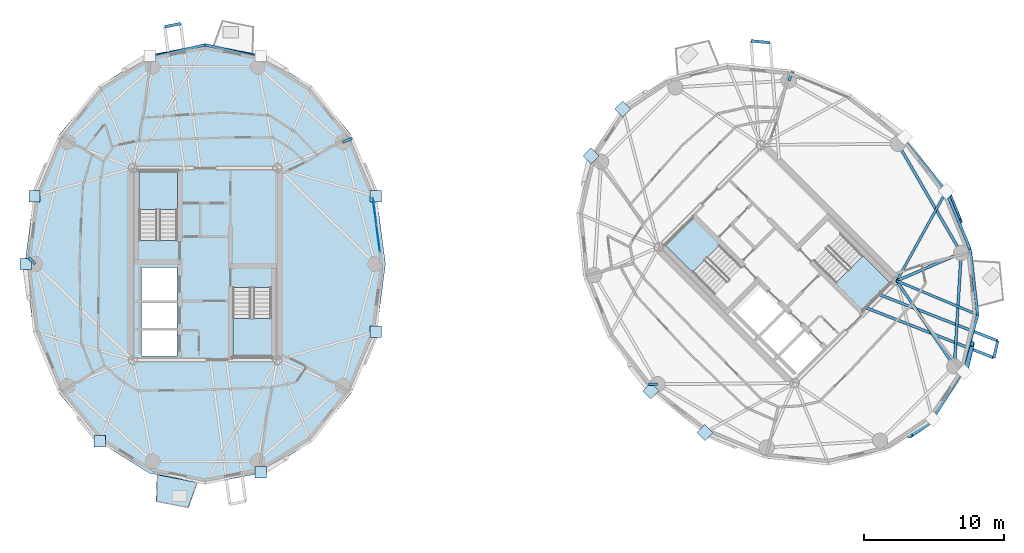
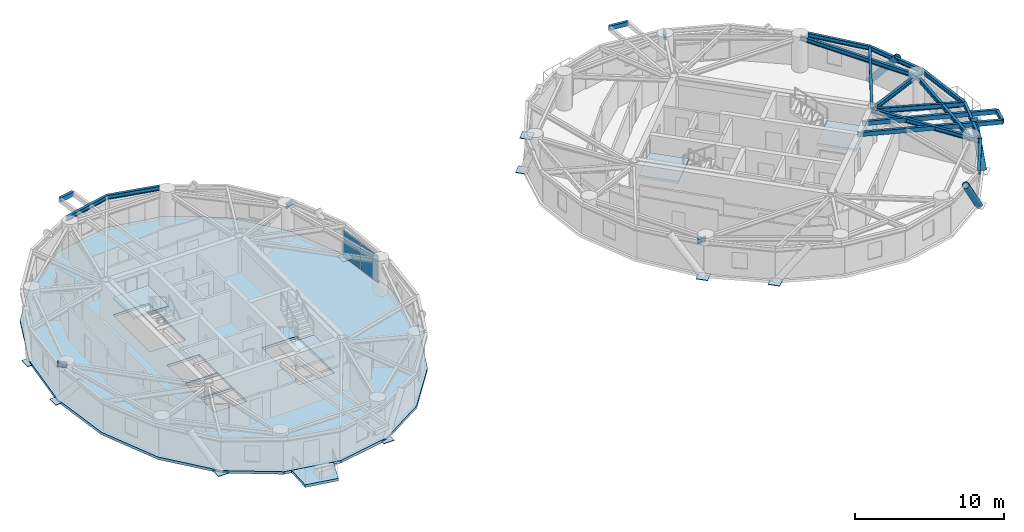
# One storey, part 6 of 16: 22 beams, 14 plates, 6 slabs, 3 members, 5 elements without a shape of their own.
"""IFC4 building model written with IfcOpenShell, lengths in metres."""

from ifc_helpers import new_model, si_unit, direction, frame, origin, origin_2d, place, context, subcontext, project, spatial, polyline, rectangle, hollow_rectangle, hollow_circle, i_section, outline, extrude, source, transform, mapped, material, layer, layer_set, material_profile, profile_set, type_object, element, aggregate, save


model = new_model("IFC4")

# Units and contexts
model_context = context("Model", 3, precision=1e-05, world=origin(), true_north=direction((0.0, 1.0)))
body_context = subcontext(model_context, "Body", "Model", "MODEL_VIEW")
ifc_project = project(units=[si_unit("LENGTHUNIT", "METRE"), si_unit("AREAUNIT", "SQUARE_METRE"), si_unit("VOLUMEUNIT", "CUBIC_METRE"), si_unit("PLANEANGLEUNIT", "RADIAN"), si_unit("MASSUNIT", "GRAM", prefix="KILO")], contexts=[model_context])

# Site, building, storey
site_placement = place(None, origin())
site = spatial("IfcSite", under=ifc_project, at=site_placement, CompositionType="ELEMENT")
building_placement = place(site_placement, origin())
building = spatial("IfcBuilding", under=site, at=building_placement, Name="Cununo Teusaquillo Station Towers", CompositionType="ELEMENT")
storey_placement = place(building_placement, frame((0.0, 0.0, 214.1201171875)))
storey = spatial("IfcBuildingStorey", under=building, at=storey_placement, Name="L68", CompositionType="ELEMENT", Elevation=214.1201171875)

# Beams
ifc_material_1 = material(Name="Steel EN 10025-2 S355J2", Category="steel")
ifc_material_profile_1 = material_profile(ifc_material_1, hollow_rectangle(XDim=0.199951171875, YDim=0.35009765625, WallThickness=0.013916015625, at=origin_2d()), Name="RHS 350x200x14")
ifc_profile_set_1 = profile_set([ifc_material_profile_1], Name="Steel EN 10025-2 S355J2")
beam_type_1 = type_object("IfcBeamType", Name="BM-BAL-CANT", PredefinedType="BEAM", material=ifc_profile_set_1)
beam_1_placement = place(storey_placement, frame((63.785888671875, 21.38134765625, 2.52490234375), z_axis=(0.931262493406, -0.364348965109, 0.0), x_axis=(0.364348965109, 0.931262493406, 0.0)))
element("IfcBeam", 1, at=beam_1_placement, inside=storey, type_object=beam_type_1, Name="L68 Tower B Balcony Cantilever Bracket 2A", PredefinedType="BEAM", context=body_context, shape_type="SweptSolid", body=[
    extrude(hollow_rectangle(XDim=0.199951171875, YDim=0.35009765625, WallThickness=0.013916015625, at=origin_2d()), origin(), (0.0, 0.0, 1.0), 9.8662109375),
])
beam_2_placement = place(storey_placement, frame((64.73388671875, 22.329345703125, 2.52490234375), z_axis=(0.931259704605, -0.364356093101, 0.0), x_axis=(0.364356093101, 0.931259704605, 0.0)))
element("IfcBeam", 2, at=beam_2_placement, inside=storey, type_object=beam_type_1, Name="L68 Tower B Balcony Cantilever Bracket 2B", PredefinedType="BEAM", context=body_context, shape_type="SweptSolid", body=[
    extrude(hollow_rectangle(XDim=0.199951171875, YDim=0.35009765625, WallThickness=0.013916015625, at=origin_2d()), origin(), (0.0, 0.0, 1.0), 9.151123046875),
])
ifc_material_2 = material(Name="Steel ASTM A572 Grade 50", Category="steel")
ifc_material_profile_2 = material_profile(ifc_material_2, i_section(OverallWidth=0.180908203125, OverallDepth=0.4169921875, WebThickness=0.010986328125, FlangeThickness=0.018310546875, FilletRadius=0.012939453125, at=origin_2d()), Name="W16X57")
ifc_profile_set_2 = profile_set([ifc_material_profile_2], Name="Steel ASTM A572 Grade 50")
beam_type_2 = type_object("IfcBeamType", Name="BM-JOIST-1", PredefinedType="JOIST", material=ifc_profile_set_2)
beam_3_placement = place(storey_placement, frame((66.024169921875, 23.29443359375, 2.491455078125), z_axis=(0.922169338565, -0.386786389381, 0.0), x_axis=(0.386786389381, 0.922169338565, 0.0)))
element("IfcBeam", 3, at=beam_3_placement, inside=storey, type_object=beam_type_2, Name="L68 Tower B Radial Spandrel Joist V17", PredefinedType="JOIST", context=body_context, shape_type="SweptSolid", body=[
    extrude(i_section(OverallWidth=0.180908203125, OverallDepth=0.4169921875, WebThickness=0.010986328125, FlangeThickness=0.018310546875, FilletRadius=0.012939453125, at=origin_2d()), origin(), (0.0, 0.0, 1.0), 6.281005859375),
])
beam_4_placement = place(storey_placement, frame((66.024169921875, 23.29443359375, 2.491455078125), z_axis=(0.483552544108, 0.8753153358, 0.0), x_axis=(-0.8753153358, 0.483552544108, 0.0)))
element("IfcBeam", 4, at=beam_4_placement, inside=storey, type_object=beam_type_2, Name="L68 Tower B Radial Spandrel Joist V19", PredefinedType="JOIST", context=body_context, shape_type="SweptSolid", body=[
    extrude(i_section(OverallWidth=0.180908203125, OverallDepth=0.4169921875, WebThickness=0.010986328125, FlangeThickness=0.018310546875, FilletRadius=0.012939453125, at=origin_2d()), origin(), (0.0, 0.0, 1.0), 7.3330078125),
])
ifc_material_3 = material(Name="Steel ASTM A572 Grade 50", Category="steel")
ifc_material_profile_3 = material_profile(ifc_material_3, i_section(OverallWidth=0.2041015625, OverallDepth=0.35009765625, WebThickness=0.008544921875, FlangeThickness=0.01513671875, FilletRadius=0.011962890625, at=origin_2d()), Name="W14X48")
ifc_profile_set_3 = profile_set([ifc_material_profile_3], Name="Steel ASTM A572 Grade 50")
beam_type_3 = type_object("IfcBeamType", Name="BM-RAD-G3", PredefinedType="BEAM", material=ifc_profile_set_3)
beam_5_placement = place(storey_placement, frame((26.347412109375, 33.228515625, 2.52490234375), z_axis=(0.929761307449, 0.368162886738, 0.0), x_axis=(-0.368162886738, 0.929761307449, 0.0)))
element("IfcBeam", 5, at=beam_5_placement, inside=storey, type_object=beam_type_3, Name="L68 Tower A Perimeter Overhang Girder 02B", PredefinedType="BEAM", context=body_context, shape_type="SweptSolid", body=[
    extrude(i_section(OverallWidth=0.2041015625, OverallDepth=0.35009765625, WebThickness=0.008544921875, FlangeThickness=0.01513671875, FilletRadius=0.011962890625, at=origin_2d()), origin(), (0.0, 0.0, 1.0), 0.691650390625),
])
beam_6_placement = place(storey_placement, frame((4.327880859375, 24.5, 2.52490234375), z_axis=(-0.712904743691, 0.701260883283, 0.0), x_axis=(-0.701260883283, -0.712904743691, 0.0)))
element("IfcBeam", 6, at=beam_6_placement, inside=storey, type_object=beam_type_3, Name="L68 Tower A Perimeter Overhang Girder 06B", PredefinedType="BEAM", context=body_context, shape_type="SweptSolid", body=[
    extrude(i_section(OverallWidth=0.2041015625, OverallDepth=0.35009765625, WebThickness=0.008544921875, FlangeThickness=0.01513671875, FilletRadius=0.011962890625, at=origin_2d()), origin(), (0.0, 0.0, 1.0), 0.64990234375),
])
beam_7_placement = place(storey_placement, frame((58.291015625, 37.63525390625, 2.52490234375), z_axis=(0.397409333503, 0.917641445034, 0.0), x_axis=(-0.917641445034, 0.397409333503, 0.0)))
element("IfcBeam", 7, at=beam_7_placement, inside=storey, type_object=beam_type_3, Name="L68 Tower B Perimeter Overhang Girder 02B", PredefinedType="BEAM", context=body_context, shape_type="SweptSolid", body=[
    extrude(i_section(OverallWidth=0.2041015625, OverallDepth=0.35009765625, WebThickness=0.008544921875, FlangeThickness=0.01513671875, FilletRadius=0.011962890625, at=origin_2d()), origin(), (0.0, 0.0, 1.0), 0.691650390625),
])
beam_8_placement = place(storey_placement, frame((48.89306640625, 15.89306640625, 2.52490234375), z_axis=(-0.999962704276, -0.008636553586, 0.0), x_axis=(0.008636553586, -0.999962704276, 0.0)))
element("IfcBeam", 8, at=beam_8_placement, inside=storey, type_object=beam_type_3, Name="L68 Tower B Perimeter Overhang Girder 06B", PredefinedType="BEAM", context=body_context, shape_type="SweptSolid", body=[
    extrude(i_section(OverallWidth=0.2041015625, OverallDepth=0.35009765625, WebThickness=0.008544921875, FlangeThickness=0.01513671875, FilletRadius=0.011962890625, at=origin_2d()), origin(), (0.0, 0.0, 1.0), 0.650146484375),
])
beam_9_placement = place(storey_placement, frame((66.024169921875, 23.29443359375, 2.52490234375), z_axis=(0.558570844079, -0.829456817529, 0.0), x_axis=(0.829456817529, 0.558570844079, 0.0)))
element("IfcBeam", 9, at=beam_9_placement, inside=storey, type_object=beam_type_3, Name="L68 Tower B Continuous Overhanging Radial Girder 09", PredefinedType="BEAM", context=body_context, shape_type="SweptSolid", body=[
    extrude(i_section(OverallWidth=0.2041015625, OverallDepth=0.35009765625, WebThickness=0.008544921875, FlangeThickness=0.01513671875, FilletRadius=0.011962890625, at=origin_2d()), origin(), (0.0, 0.0, 1.0), 8.1240234375),
])
beam_10_placement = place(storey_placement, frame((66.024169921875, 23.29443359375, 2.52490234375), z_axis=(0.917665176837, 0.397354530893, 0.0), x_axis=(-0.397354530893, 0.917665176837, 0.0)))
element("IfcBeam", 10, at=beam_10_placement, inside=storey, type_object=beam_type_3, Name="L68 Tower B Continuous Overhanging Radial Girder 10", PredefinedType="BEAM", context=body_context, shape_type="SweptSolid", body=[
    extrude(i_section(OverallWidth=0.2041015625, OverallDepth=0.35009765625, WebThickness=0.008544921875, FlangeThickness=0.01513671875, FilletRadius=0.011962890625, at=origin_2d()), origin(), (0.0, 0.0, 1.0), 5.716552734375),
])
ifc_material_4 = material(Name="Steel ASTM A572 Grade 50", Category="steel")
ifc_material_profile_4 = material_profile(ifc_material_4, i_section(OverallWidth=0.2041015625, OverallDepth=0.35009765625, WebThickness=0.008544921875, FlangeThickness=0.01513671875, FilletRadius=0.011962890625, at=origin_2d()), Name="W14X48")
ifc_profile_set_4 = profile_set([ifc_material_profile_4], Name="Steel ASTM A572 Grade 50")
beam_type_4 = type_object("IfcBeamType", Name="BM-RING-Z4", PredefinedType="SPANDREL", material=ifc_profile_set_4)
for number, where, z_axis, x_axis, name in (
    (11, (20.118896484375, 39.353515625, 2.52490234375), (-0.97431470066, 0.225190728224, 0.0), (-0.225190728224, -0.97431470066, 0.0), "L68 Tower A Spandrel Ring Beam 05"),
    (12, (16.5, 40.18994140625, 2.52490234375), (-0.97431470066, -0.225190728224, 0.0), (0.225190728224, -0.97431470066, 0.0), "L68 Tower A Spandrel Ring Beam 06"),
):
    element("IfcBeam", number, at=place(storey_placement, frame(where, z_axis=z_axis, x_axis=x_axis)), inside=storey, type_object=beam_type_4, Name=name, PredefinedType="SPANDREL", context=body_context, shape_type="SweptSolid", body=[
        extrude(i_section(OverallWidth=0.2041015625, OverallDepth=0.35009765625, WebThickness=0.008544921875, FlangeThickness=0.01513671875, FilletRadius=0.011962890625, at=origin_2d()), origin(), (0.0, 0.0, 1.0), 3.71435546875),
    ])
beam_11_placement = place(storey_placement, frame((70.146240234375, 17.173095703125, 2.52490234375), z_axis=(0.06012979176, 0.998190567048, 0.0), x_axis=(-0.998190567048, 0.06012979176, 0.0)))
element("IfcBeam", 13, at=beam_11_placement, inside=storey, type_object=beam_type_4, Name="L68 Tower B Structural Column Ring Girder 09", PredefinedType="SPANDREL", context=body_context, shape_type="SweptSolid", body=[
    extrude(i_section(OverallWidth=0.2041015625, OverallDepth=0.35009765625, WebThickness=0.008544921875, FlangeThickness=0.01513671875, FilletRadius=0.011962890625, at=origin_2d()), origin(), (0.0, 0.0, 1.0), 8.132568359375),
])
beam_12_placement = place(storey_placement, frame((70.63525390625, 25.291015625, 2.52490234375), z_axis=(-0.501311121078, 0.865267103202, 0.0), x_axis=(-0.865267103202, -0.501311121078, 0.0)))
element("IfcBeam", 14, at=beam_12_placement, inside=storey, type_object=beam_type_4, Name="L68 Tower B Structural Column Ring Girder 10", PredefinedType="SPANDREL", context=body_context, shape_type="SweptSolid", body=[
    extrude(i_section(OverallWidth=0.2041015625, OverallDepth=0.35009765625, WebThickness=0.008544921875, FlangeThickness=0.01513671875, FilletRadius=0.011962890625, at=origin_2d()), origin(), (0.0, 0.0, 1.0), 9.032958984375),
])
beam_13_placement = place(storey_placement, frame((68.594482421875, 13.405517578125, 2.52490234375), z_axis=(0.529715312739, 0.848175505099, 0.0), x_axis=(-0.848175505099, 0.529715312739, 0.0)))
element("IfcBeam", 15, at=beam_13_placement, inside=storey, type_object=beam_type_4, Name="L68 Tower B Spandrel Ring Beam 16", PredefinedType="SPANDREL", context=body_context, shape_type="SweptSolid", body=[
    extrude(i_section(OverallWidth=0.2041015625, OverallDepth=0.35009765625, WebThickness=0.008544921875, FlangeThickness=0.01513671875, FilletRadius=0.011962890625, at=origin_2d()), origin(), (0.0, 0.0, 1.0), 3.71435546875),
])
beam_14_placement = place(storey_placement, frame((70.56201171875, 16.555908203125, 2.52490234375), z_axis=(0.279502797802, 0.96014487762, 0.0), x_axis=(-0.96014487762, 0.279502797802, 0.0)))
element("IfcBeam", 16, at=beam_14_placement, inside=storey, type_object=beam_type_4, Name="L68 Tower B Spandrel Ring Beam 17", PredefinedType="SPANDREL", context=body_context, shape_type="SweptSolid", body=[
    extrude(i_section(OverallWidth=0.2041015625, OverallDepth=0.35009765625, WebThickness=0.008544921875, FlangeThickness=0.01513671875, FilletRadius=0.011962890625, at=origin_2d()), origin(), (0.0, 0.0, 1.0), 4.488037109375),
])
beam_15_placement = place(storey_placement, frame((71.81640625, 20.864990234375, 2.52490234375), z_axis=(-0.115452326356, 0.993313022334, 0.0), x_axis=(-0.993313022334, -0.115452326356, 0.0)))
element("IfcBeam", 17, at=beam_15_placement, inside=storey, type_object=beam_type_4, Name="L68 Tower B Spandrel Ring Beam 18", PredefinedType="SPANDREL", context=body_context, shape_type="SweptSolid", body=[
    extrude(i_section(OverallWidth=0.2041015625, OverallDepth=0.35009765625, WebThickness=0.008544921875, FlangeThickness=0.01513671875, FilletRadius=0.011962890625, at=origin_2d()), origin(), (0.0, 0.0, 1.0), 4.732666015625),
])
beam_16_placement = place(storey_placement, frame((71.27001953125, 25.56591796875, 2.52490234375), z_axis=(-0.379275405388, 0.925283830437, 0.0), x_axis=(-0.925283830437, -0.379275405388, 0.0)))
element("IfcBeam", 18, at=beam_16_placement, inside=storey, type_object=beam_type_4, Name="L68 Tower B Spandrel Ring Beam 19", PredefinedType="SPANDREL", context=body_context, shape_type="SweptSolid", body=[
    extrude(i_section(OverallWidth=0.2041015625, OverallDepth=0.35009765625, WebThickness=0.008544921875, FlangeThickness=0.01513671875, FilletRadius=0.011962890625, at=origin_2d()), origin(), (0.0, 0.0, 1.0), 4.482177734375),
])
beam_17_placement = place(storey_placement, frame((69.570068359375, 29.713134765625, 2.52490234375), z_axis=(-0.637524682095, 0.770429931739, 0.0), x_axis=(-0.770429931739, -0.637524682095, 0.0)))
element("IfcBeam", 19, at=beam_17_placement, inside=storey, type_object=beam_type_4, Name="L68 Tower B Spandrel Ring Beam 20", PredefinedType="SPANDREL", context=body_context, shape_type="SweptSolid", body=[
    extrude(i_section(OverallWidth=0.2041015625, OverallDepth=0.35009765625, WebThickness=0.008544921875, FlangeThickness=0.01513671875, FilletRadius=0.011962890625, at=origin_2d()), origin(), (0.0, 0.0, 1.0), 4.412353515625),
])
ifc_material_5 = material(Name="Steel EN 10025-2 S355J2", Category="steel")
ifc_material_profile_5 = material_profile(ifc_material_5, hollow_rectangle(XDim=0.199951171875, YDim=0.35009765625, WallThickness=0.013916015625, at=origin_2d()), Name="RHS 350x200x14")
ifc_profile_set_5 = profile_set([ifc_material_profile_5], Name="Steel EN 10025-2 S355J2")
beam_type_5 = type_object("IfcBeamType", Name="BM-STAIR-TRIM", PredefinedType="BEAM", material=ifc_profile_set_5)
beam_18_placement = place(storey_placement, frame((14.73828125, 41.708984375, 2.52490234375), z_axis=(-0.981857200028, -0.189621830897, 0.0), x_axis=(0.189621830897, -0.981857200028, 0.0)))
element("IfcBeam", 20, at=beam_18_placement, inside=storey, type_object=beam_type_5, Name="L68 Tower A Balcony Edge Trimmer Beam 1", PredefinedType="BEAM", context=body_context, shape_type="SweptSolid", body=[
    extrude(hollow_rectangle(XDim=0.199951171875, YDim=0.35009765625, WallThickness=0.013916015625, at=origin_2d()), origin(), (0.0, 0.0, 1.0), 1.157470703125),
])
beam_19_placement = place(storey_placement, frame((56.953125, 40.34423828125, 2.52490234375), z_axis=(-0.995130284022, 0.098568340868, 0.0), x_axis=(-0.098568340868, -0.995130284022, 0.0)))
element("IfcBeam", 21, at=beam_19_placement, inside=storey, type_object=beam_type_5, Name="L68 Tower B Balcony Edge Trimmer Beam 1", PredefinedType="BEAM", context=body_context, shape_type="SweptSolid", body=[
    extrude(hollow_rectangle(XDim=0.199951171875, YDim=0.35009765625, WallThickness=0.013916015625, at=origin_2d()), origin(), (0.0, 0.0, 1.0), 1.36962890625),
])
beam_20_placement = place(storey_placement, frame((72.973876953125, 17.78662109375, 2.52490234375), z_axis=(0.227229615606, 0.973841209742, 0.0), x_axis=(-0.973841209742, 0.227229615606, 0.0)))
element("IfcBeam", 22, at=beam_20_placement, inside=storey, type_object=beam_type_5, Name="L68 Tower B Balcony Edge Trimmer Beam 2", PredefinedType="BEAM", context=body_context, shape_type="SweptSolid", body=[
    extrude(hollow_rectangle(XDim=0.199951171875, YDim=0.35009765625, WallThickness=0.013916015625, at=origin_2d()), origin(), (0.0, 0.0, 1.0), 1.240966796875),
])

# Members
ifc_material_6 = material(Name="Steel EN 10025-2 S355J2", Category="steel")
ifc_material_profile_6 = material_profile(ifc_material_6, hollow_circle(Radius=0.25390625, WallThickness=0.01806640625, at=origin_2d()), Name="CHS 508x18")
ifc_profile_set_6 = profile_set([ifc_material_profile_6], Name="Steel EN 10025-2 S355J2")
member_type = type_object("IfcMemberType", Name="MBR-DIAG-Z4", PredefinedType="BRACE", material=ifc_profile_set_6)
member_1_placement = place(storey_placement, frame((68.594482421875, 13.405517578125, -0.14013671875), z_axis=(-0.472769490674, -0.31961201796, 0.821180349657), x_axis=(0.560065734295, -0.828448171746, 0.0)))
element("IfcMember", 23, at=member_1_placement, inside=storey, type_object=member_type, Name="L68 Tower B Folded-Zigzag Diagrid Tube C14", PredefinedType="BRACE", context=body_context, shape_type="SweptSolid", body=[
    extrude(hollow_circle(Radius=0.25390625, WallThickness=0.01806640625, at=origin_2d()), origin(), (0.0, 0.0, 1.0), 3.54345703125),
])
member_2_placement = place(storey_placement, frame((70.859375, 16.75634765625, -0.14013671875), z_axis=(0.13314050396, 0.571621092256, 0.809643707499), x_axis=(-0.973930772574, 0.226845432471, 0.0)))
element("IfcMember", 24, at=member_2_placement, inside=storey, type_object=member_type, Name="L68 Tower B Folded-Zigzag Diagrid Tube C16", PredefinedType="BRACE", context=body_context, shape_type="SweptSolid", body=[
    extrude(hollow_circle(Radius=0.25390625, WallThickness=0.01806640625, at=origin_2d()), origin(), (0.0, 0.0, 1.0), 3.593994140625),
])
member_3_placement = place(storey_placement, frame((69.570068359375, 29.713134765625, -0.14013671875), z_axis=(0.240125007618, -0.584015766292, 0.775413157896), x_axis=(0.924874275738, 0.380273025704, 0.0)))
element("IfcMember", 25, at=member_3_placement, inside=storey, type_object=member_type, Name="L68 Tower B Folded-Zigzag Diagrid Tube C18", PredefinedType="BRACE", context=body_context, shape_type="SweptSolid", body=[
    extrude(hollow_circle(Radius=0.25390625, WallThickness=0.01806640625, at=origin_2d()), origin(), (0.0, 0.0, 1.0), 3.752685546875),
])

# Slab
ifc_material_7 = material(Name="Concrete C50/60", Category="concrete")
ifc_layer_1 = layer(ifc_material_7, 0.2099609375)
ifc_layer_set_1 = layer_set([ifc_layer_1], Name="Concrete C50/60")
slab_type_1 = type_object("IfcSlabType", Name="SLB-BAL-210", PredefinedType="FLOOR", material=ifc_layer_set_1)
slab_1_placement = place(storey_placement, frame((0.0, 0.0, -0.210205078125)))
element("IfcSlab", 26, at=slab_1_placement, inside=storey, type_object=slab_type_1, Name="L68 Tower A Tree Balcony Slab 2", PredefinedType="FLOOR", context=body_context, shape_type="SweptSolid", body=[
    extrude(outline(polyline([(13.0498046875, 9.41162109375), (15.958984375, 8.849365234375), (15.30126953125, 7.026123046875), (12.98095703125, 7.474609375), (13.0498046875, 9.41162109375)])), origin(), (0.0, 0.0, 1.0), 0.210205078125),
])

# Stair, slab
ifc_material_8 = material(Name="Concrete C50/60", Category="concrete")
stair_type = type_object("IfcStairType", Name="ST-TWR-1300", PredefinedType="HALF_TURN_STAIR", material=ifc_material_8)
stair_1_placement = place(storey_placement, origin())
stair_1 = element("IfcStair", 27, at=stair_1_placement, inside=storey, type_object=stair_type, Name="L68 Tower A Protected Core Exit Stair 1", PredefinedType="HALF_TURN_STAIR")
ifc_material_9 = material(Name="Concrete C50/60", Category="concrete")
ifc_layer_2 = layer(ifc_material_9, 0.199951171875)
ifc_layer_set_2 = layer_set([ifc_layer_2], Name="Concrete C50/60")
slab_type_2 = type_object("IfcSlabType", Name="SLB-STAIR-LND", PredefinedType="LANDING", material=ifc_layer_set_2)
slab_2_placement = place(storey_placement, frame((0.0, 0.0, 1.2548828125)))
slab_2 = element("IfcSlab", 28, at=slab_2_placement, type_object=slab_type_2, Name="ST-T1-1 landing 1", PredefinedType="LANDING", context=body_context, shape_type="SweptSolid", body=[
    extrude(outline(polyline([(14.52001953125, 28.409912109375), (14.52001953125, 31.159912109375), (11.760009765625, 31.159912109375), (11.760009765625, 28.409912109375), (14.52001953125, 28.409912109375)])), origin(), (0.0, 0.0, 1.0), 0.199951171875),
])
aggregate(stair_1, [slab_2])

stair_2_placement = place(storey_placement, origin())
stair_2 = element("IfcStair", 29, at=stair_2_placement, inside=storey, type_object=stair_type, Name="L68 Tower A Protected Core Exit Stair 2", PredefinedType="HALF_TURN_STAIR")
slab_3_placement = place(storey_placement, frame((0.0, 0.0, 1.2548828125)))
slab_3 = element("IfcSlab", 30, at=slab_3_placement, type_object=slab_type_2, Name="ST-T1-2 landing 1", PredefinedType="LANDING", context=body_context, shape_type="SweptSolid", body=[
    extrude(outline(polyline([(18.47998046875, 20.590087890625), (18.47998046875, 17.840087890625), (21.239990234375, 17.840087890625), (21.239990234375, 20.590087890625), (18.47998046875, 20.590087890625)])), origin(), (0.0, 0.0, 1.0), 0.199951171875),
])
aggregate(stair_2, [slab_3])

stair_3_placement = place(storey_placement, origin())
stair_3 = element("IfcStair", 31, at=stair_3_placement, inside=storey, type_object=stair_type, Name="L68 Tower B Protected Core Exit Stair 1", PredefinedType="HALF_TURN_STAIR")
slab_4_placement = place(storey_placement, frame((0.0, 0.0, 1.2548828125)))
slab_4 = element("IfcSlab", 32, at=slab_4_placement, type_object=slab_type_2, Name="ST-T2-1 landing 1", PredefinedType="LANDING", context=body_context, shape_type="SweptSolid", body=[
    extrude(outline(polyline([(53.335205078125, 25.86474609375), (51.390625, 27.809326171875), (49.43896484375, 25.857666015625), (51.383544921875, 23.9130859375), (53.335205078125, 25.86474609375)])), origin(), (0.0, 0.0, 1.0), 0.199951171875),
])
aggregate(stair_3, [slab_4])

stair_4_placement = place(storey_placement, origin())
stair_4 = element("IfcStair", 33, at=stair_4_placement, inside=storey, type_object=stair_type, Name="L68 Tower B Protected Core Exit Stair 2", PredefinedType="HALF_TURN_STAIR")
slab_5_placement = place(storey_placement, frame((0.0, 0.0, 1.2548828125)))
slab_5 = element("IfcSlab", 34, at=slab_5_placement, type_object=slab_type_2, Name="ST-T2-2 landing 1", PredefinedType="LANDING", context=body_context, shape_type="SweptSolid", body=[
    extrude(outline(polyline([(61.664794921875, 23.13525390625), (63.609375, 21.190673828125), (65.56103515625, 23.142333984375), (63.616455078125, 25.0869140625), (61.664794921875, 23.13525390625)])), origin(), (0.0, 0.0, 1.0), 0.199951171875),
])
aggregate(stair_4, [slab_5])

# Slab
ifc_material_10 = material(Name="Concrete C40/50", Category="concrete")
ifc_layer_3 = layer(ifc_material_10, 0.2099609375)
ifc_layer_set_3 = layer_set([ifc_layer_3], Name="Concrete C40/50")
slab_type_3 = type_object("IfcSlabType", Name="SLB-Z4-200", PredefinedType="FLOOR", material=ifc_layer_set_3)
slab_6_placement = place(storey_placement, frame((0.0, 0.0, -0.210205078125)))
element("IfcSlab", 35, at=slab_6_placement, inside=storey, type_object=slab_type_3, Name="L68 Tower A Floor Slab", PredefinedType="FLOOR", context=body_context, shape_type="SweptSolid", body=[
    extrude(outline(polyline([(29.409912109375, 24.5), (28.778076171875, 29.366943359375), (26.9443359375, 33.757568359375), (24.08837890625, 37.241943359375), (20.489501953125, 39.47900390625), (16.5, 40.25), (12.510498046875, 39.47900390625), (8.91162109375, 37.241943359375), (6.0556640625, 33.757568359375), (4.221923828125, 29.366943359375), (3.590087890625, 24.5), (4.221923828125, 19.633056640625), (6.0556640625, 15.242431640625), (8.91162109375, 11.758056640625), (12.510498046875, 9.52099609375), (16.5, 8.75), (20.489501953125, 9.52099609375), (24.08837890625, 11.758056640625), (26.9443359375, 15.242431640625), (28.778076171875, 19.633056640625), (29.409912109375, 24.5)]), holes=[polyline([(14.52001953125, 26.176025390625), (14.52001953125, 31.159912109375), (11.760009765625, 31.159912109375), (11.760009765625, 26.176025390625), (14.52001953125, 26.176025390625)]), polyline([(18.47998046875, 22.823974609375), (18.47998046875, 17.840087890625), (21.239990234375, 17.840087890625), (21.239990234375, 22.823974609375), (18.47998046875, 22.823974609375)]), polyline([(11.949951171875, 21.85009765625), (14.47998046875, 21.85009765625), (14.47998046875, 24.25), (11.949951171875, 24.25), (11.949951171875, 21.85009765625)]), polyline([(11.949951171875, 17.89990234375), (14.47998046875, 17.89990234375), (14.47998046875, 19.75), (11.949951171875, 19.75), (11.949951171875, 17.89990234375)]), polyline([(11.949951171875, 19.89990234375), (14.47998046875, 19.89990234375), (14.47998046875, 21.75), (11.949951171875, 21.75), (11.949951171875, 19.89990234375)])]), origin(), (0.0, 0.0, 1.0), 0.210205078125),
])

# Plates
ifc_material_11 = material(Name="Steel ASTM A572 Grade 50", Category="steel")
ifc_layer_4 = layer(ifc_material_11, 0.044921875)
ifc_layer_set_4 = layer_set([ifc_layer_4], Name="Steel ASTM A572 Grade 50")
plate_type_1 = type_object("IfcPlateType", Name="PLT-NODE-DN2", PredefinedType="USERDEFINED", material=ifc_layer_set_4)
shared_shape_1 = source(origin(), body_context, "Body", "SweptSolid", [
    extrude(rectangle(XDim=0.820068359375, YDim=0.820068359375, at=origin_2d()), origin(), (0.0, 0.0, 1.0), 0.044921875),
])
for number, where, z_axis, x_axis, name in (
    (36, (28.72119140625, 29.348388671875, -0.16259765625), (0.0, 0.0, 1.0), (1.0, 0.0, 0.0), "L68 Tower A Diagrid Node Assembly C01"),
    (37, (4.27880859375, 29.348388671875, -0.16259765625), (0.0, 0.0, 1.0), (1.0, 0.0, 0.0), "L68 Tower A Diagrid Node Assembly C08"),
    (38, (3.64990234375, 24.5, -0.16259765625), (0.0, 0.0, 1.0), (1.0, 0.0, 0.0), "L68 Tower A Diagrid Node Assembly C10"),
    (39, (8.947021484375, 11.806396484375, -0.16259765625), (0.0, 0.0, 1.0), (1.0, 0.0, 0.0), "L68 Tower A Diagrid Node Assembly C12"),
    (40, (20.470947265625, 9.577880859375, -0.16259765625), (0.0, 0.0, 1.0), (1.0, 0.0, 0.0), "L68 Tower A Diagrid Node Assembly C16"),
    (41, (28.72119140625, 19.651611328125, -0.16259765625), (0.0, 0.0, 1.0), (1.0, 0.0, 0.0), "L68 Tower A Diagrid Node Assembly C18"),
    (42, (46.405517578125, 35.594482421875, -0.16259765625), (0.0, 0.0, 1.0), (0.707106781187, 0.707106781187, 0.0), "L68 Tower B Diagrid Node Assembly C04"),
    (43, (44.140625, 32.24365234375, -0.16259765625), (0.0, 0.0, 1.0), (0.707106781187, 0.707106781187, 0.0), "L68 Tower B Diagrid Node Assembly C06"),
    (44, (48.413818359375, 15.413818359375, -0.16259765625), (0.0, 0.0, 1.0), (0.707106781187, 0.707106781187, 0.0), "L68 Tower B Diagrid Node Assembly C09"),
    (45, (52.286865234375, 12.429931640625, -0.16259765625), (0.0, 0.0, 1.0), (0.707106781187, 0.707106781187, 0.0), "L68 Tower B Diagrid Node Assembly C11"),
):
    element("IfcPlate", number, at=place(storey_placement, frame(where, z_axis=z_axis, x_axis=x_axis)), inside=storey, type_object=plate_type_1, Name=name, ObjectType="GUSSET PLATE", PredefinedType="USERDEFINED", context=body_context, shape_type="MappedRepresentation", body=[
        mapped(shared_shape_1, transform((0.0, 0.0, 0.0), x_axis=(1.0, 0.0, 0.0), y_axis=(0.0, 1.0, 0.0), z_axis=(0.0, 0.0, 1.0), scale=1.0)),
    ])

# Curtain wall, plates
ifc_material_12 = material(Name="Ceramic-fritted dark low-E double glazing", Category="glass")
ifc_layer_5 = layer(ifc_material_12, 0.179931640625)
ifc_layer_set_5 = layer_set([ifc_layer_5], Name="Ceramic-fritted dark low-E double glazing")
curtain_wall_type = type_object("IfcCurtainWallType", Name="CW-SYS-07", PredefinedType="USERDEFINED", material=ifc_layer_set_5)
curtain_wall_placement = place(storey_placement, origin())
curtain_wall = element("IfcCurtainWall", 46, at=curtain_wall_placement, inside=storey, type_object=curtain_wall_type, Name="L68 Tower A Facade Curtain Wall C00", ObjectType="FRITTED GLAZING", PredefinedType="USERDEFINED")
ifc_material_13 = material(Name="Ceramic-fritted dark low-E double glazing", Category="glass")
ifc_layer_6 = layer(ifc_material_13, 0.028076171875)
ifc_layer_set_6 = layer_set([ifc_layer_6], Name="Ceramic-fritted dark low-E double glazing")
plate_type_2 = type_object("IfcPlateType", Name="CWP-FRIT-28", PredefinedType="CURTAIN_PANEL", material=ifc_layer_set_6)
shared_shape_2 = source(origin(), body_context, "Body", "SweptSolid", [
    extrude(rectangle(XDim=1.8876953125, YDim=0.028076171875, at=origin_2d()), origin(), (0.0, 0.0, 1.0), 1.41162109375),
])
plate_1_placement = place(storey_placement, frame((28.64111328125, 28.280029296875, 0.06494140625), z_axis=(0.0, 0.0, 1.0), x_axis=(0.12825264413, -0.991741528461, 0.0)))
plate_1 = element("IfcPlate", 47, at=plate_1_placement, type_object=plate_type_2, Name="CW-07 panel 1.1", PredefinedType="CURTAIN_PANEL", context=body_context, shape_type="MappedRepresentation", body=[
    mapped(shared_shape_2, transform((0.0, 0.0, 0.0), x_axis=(1.0, 0.0, 0.0), y_axis=(0.0, 1.0, 0.0), z_axis=(0.0, 0.0, 1.0), scale=1.0)),
])
plate_2_placement = place(storey_placement, frame((28.8916015625, 26.343505859375, 0.06494140625), z_axis=(0.0, 0.0, 1.0), x_axis=(0.12825264413, -0.991741528461, 0.0)))
plate_2 = element("IfcPlate", 48, at=plate_2_placement, type_object=plate_type_2, Name="CW-07 panel 2.1", PredefinedType="CURTAIN_PANEL", context=body_context, shape_type="MappedRepresentation", body=[
    mapped(shared_shape_2, transform((0.0, 0.0, 0.0), x_axis=(1.0, 0.0, 0.0), y_axis=(0.0, 1.0, 0.0), z_axis=(0.0, 0.0, 1.0), scale=1.0)),
])
shared_shape_3 = source(origin(), body_context, "Body", "SweptSolid", [
    extrude(rectangle(XDim=1.8876953125, YDim=0.028076171875, at=origin_2d()), origin(), (0.0, 0.0, 1.0), 0.715576171875),
])
plate_3_placement = place(storey_placement, frame((28.64111328125, 28.280029296875, 1.54150390625), z_axis=(0.0, 0.0, 1.0), x_axis=(0.12825264413, -0.991741528461, 0.0)))
plate_3 = element("IfcPlate", 49, at=plate_3_placement, type_object=plate_type_2, Name="CW-07 panel 1.2", PredefinedType="CURTAIN_PANEL", context=body_context, shape_type="MappedRepresentation", body=[
    mapped(shared_shape_3, transform((0.0, 0.0, 0.0), x_axis=(1.0, 0.0, 0.0), y_axis=(0.0, 1.0, 0.0), z_axis=(0.0, 0.0, 1.0), scale=1.0)),
])
plate_4_placement = place(storey_placement, frame((28.8916015625, 26.343505859375, 1.54150390625), z_axis=(0.0, 0.0, 1.0), x_axis=(0.12825264413, -0.991741528461, 0.0)))
plate_4 = element("IfcPlate", 50, at=plate_4_placement, type_object=plate_type_2, Name="CW-07 panel 2.2", PredefinedType="CURTAIN_PANEL", context=body_context, shape_type="MappedRepresentation", body=[
    mapped(shared_shape_3, transform((0.0, 0.0, 0.0), x_axis=(1.0, 0.0, 0.0), y_axis=(0.0, 1.0, 0.0), z_axis=(0.0, 0.0, 1.0), scale=1.0)),
])
aggregate(curtain_wall, [plate_1, plate_3, plate_2, plate_4])

save(model, "model.ifc")
